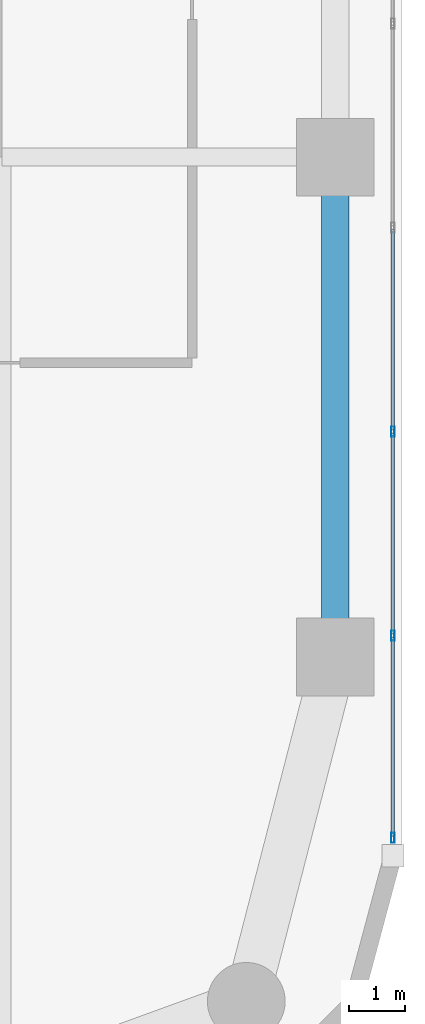
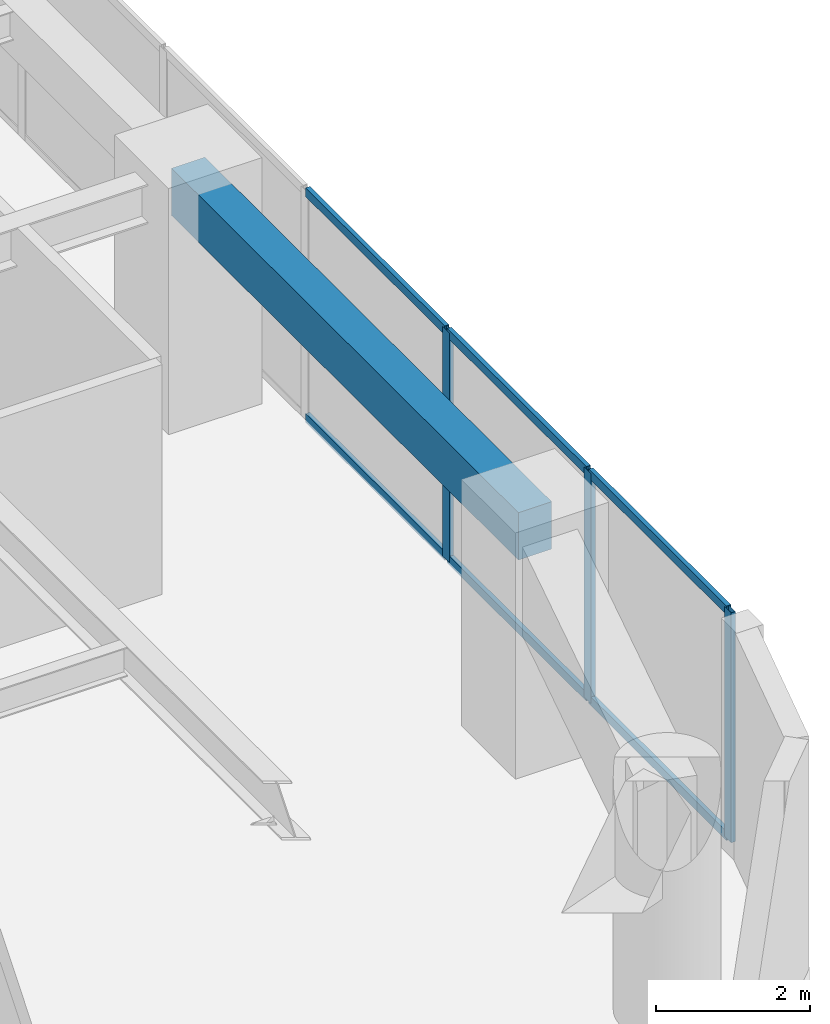
# One storey, part 4 of 24: 9 members, 1 beam, 1 element without a shape of its own.
"""IFC4 building model written with IfcOpenShell, lengths in metres."""

from ifc_helpers import new_model, si_unit, direction, frame, origin, origin_2d, place, context, subcontext, project, spatial, rectangle, hollow_rectangle, extrude, material, layer, layer_set, material_profile, profile_set, type_object, element, aggregate, save


model = new_model("IFC4")

# Units and contexts
model_context = context("Model", 3, precision=1e-05, world=origin(), true_north=direction((0.0, 1.0)))
body_context = subcontext(model_context, "Body", "Model", "MODEL_VIEW")
ifc_project = project(units=[si_unit("LENGTHUNIT", "METRE"), si_unit("AREAUNIT", "SQUARE_METRE"), si_unit("VOLUMEUNIT", "CUBIC_METRE"), si_unit("PLANEANGLEUNIT", "RADIAN"), si_unit("MASSUNIT", "GRAM", prefix="KILO")], contexts=[model_context])

# Site, building, storey
site_placement = place(None, origin())
site = spatial("IfcSite", under=ifc_project, at=site_placement, CompositionType="ELEMENT")
building_placement = place(site_placement, origin())
building = spatial("IfcBuilding", under=site, at=building_placement, Name="Kiyonajd Concourse Tower", CompositionType="ELEMENT")
storey_placement = place(building_placement, frame((0.0, 0.0, 105.300048828125)))
storey = spatial("IfcBuildingStorey", under=building, at=storey_placement, Name="L27", CompositionType="ELEMENT", Elevation=105.300048828125)

# Beam
ifc_material_1 = material(Name="Precast concrete C50/60", Category="concrete")
ifc_material_profile_1 = material_profile(ifc_material_1, rectangle(XDim=0.5, YDim=0.75, at=origin_2d()), Name="RCBM-500x750")
ifc_profile_set_1 = profile_set([ifc_material_profile_1], Name="Precast concrete C50/60")
beam_type = type_object("IfcBeamType", Name="BM-SPAN-RC", PredefinedType="SPANDREL", material=ifc_profile_set_1)
beam_placement = place(storey_placement, frame((69.60009765625, 18.60009765625, 3.264892578125), z_axis=(0.0, 1.0, 0.0), x_axis=(-1.0, 0.0, 0.0)))
element("IfcBeam", 1, at=beam_placement, inside=storey, type_object=beam_type, Name="L27 Perimeter Bundled Tube Spandrel", PredefinedType="SPANDREL", context=body_context, shape_type="SweptSolid", body=[
    extrude(rectangle(XDim=0.5, YDim=0.75, at=origin_2d()), origin(), (0.0, 0.0, 1.0), 9.0),
])

# Curtain wall, members
ifc_material_2 = material(Name="Thermally Broken Anodised Aluminium", Category="aluminium")
ifc_layer = layer(ifc_material_2, 0.179931640625)
ifc_layer_set = layer_set([ifc_layer], Name="Thermally Broken Anodised Aluminium")
curtain_wall_type = type_object("IfcCurtainWallType", Name="CW-SYS-03", PredefinedType="NOTDEFINED", material=ifc_layer_set)
curtain_wall_placement = place(storey_placement, origin())
curtain_wall = element("IfcCurtainWall", 2, at=curtain_wall_placement, inside=storey, type_object=curtain_wall_type, Name="L27 Unitised Curtain Wall CW3", PredefinedType="NOTDEFINED")
ifc_material_profile_2 = material_profile(ifc_material_2, hollow_rectangle(XDim=0.06494140625, YDim=0.179931640625, WallThickness=0.00390625, at=origin_2d()), Name="MULL-65x180")
ifc_profile_set_2 = profile_set([ifc_material_profile_2], Name="Thermally Broken Anodised Aluminium")
member_type_1 = type_object("IfcMemberType", Name="MB-CW-MULL1", PredefinedType="MULLION", material=ifc_profile_set_2)
member_1_placement = place(storey_placement, frame((70.639892578125, 22.657470703125, 0.0), z_axis=(0.0, 0.0, 1.0), x_axis=(1.0, 0.0, 0.0)))
member_1 = element("IfcMember", 3, at=member_1_placement, type_object=member_type_1, Name="CW3 mullion 5", PredefinedType="MULLION", context=body_context, shape_type="SweptSolid", body=[
    extrude(hollow_rectangle(XDim=0.06494140625, YDim=0.179931640625, WallThickness=0.00390625, at=origin_2d()), origin(), (0.0, 0.0, 1.0), 3.639892578125),
])
member_2_placement = place(storey_placement, frame((70.639892578125, 18.984130859375, 0.0), z_axis=(0.0, 0.0, 1.0), x_axis=(1.0, 0.0, 0.0)))
member_2 = element("IfcMember", 4, at=member_2_placement, type_object=member_type_1, Name="CW3 mullion 6", PredefinedType="MULLION", context=body_context, shape_type="SweptSolid", body=[
    extrude(hollow_rectangle(XDim=0.06494140625, YDim=0.179931640625, WallThickness=0.00390625, at=origin_2d()), origin(), (0.0, 0.0, 1.0), 3.639892578125),
])
member_3_placement = place(storey_placement, frame((70.639892578125, 15.343505859375, 0.0), z_axis=(0.0, 0.0, 1.0), x_axis=(1.0, 0.0, 0.0)))
member_3 = element("IfcMember", 5, at=member_3_placement, type_object=member_type_1, Name="CW3 mullion 7", PredefinedType="MULLION", context=body_context, shape_type="SweptSolid", body=[
    extrude(hollow_rectangle(XDim=0.06494140625, YDim=0.179931640625, WallThickness=0.00390625, at=origin_2d()), origin(), (0.0, 0.0, 1.0), 3.639892578125),
])
ifc_material_profile_3 = material_profile(ifc_material_2, hollow_rectangle(XDim=0.06494140625, YDim=0.139892578125, WallThickness=0.00390625, at=origin_2d()), Name="TRAN-65x140")
ifc_profile_set_3 = profile_set([ifc_material_profile_3], Name="Thermally Broken Anodised Aluminium")
member_type_2 = type_object("IfcMemberType", Name="MB-CW-TRAN1", PredefinedType="USERDEFINED", material=ifc_profile_set_3)
member_4_placement = place(storey_placement, frame((70.639892578125, 26.298095703125, 0.032470703125), z_axis=(0.0, -1.0, 0.0), x_axis=(1.0, 0.0, 0.0)))
member_4 = element("IfcMember", 6, at=member_4_placement, type_object=member_type_2, Name="CW3 transom 4.1", ObjectType="TRANSOM", PredefinedType="USERDEFINED", context=body_context, shape_type="SweptSolid", body=[
    extrude(hollow_rectangle(XDim=0.06494140625, YDim=0.139892578125, WallThickness=0.00390625, at=origin_2d()), origin(), (0.0, 0.0, 1.0), 3.608154296875),
])
member_5_placement = place(storey_placement, frame((70.639892578125, 26.298095703125, 3.607421875), z_axis=(0.0, -1.0, 0.0), x_axis=(1.0, 0.0, 0.0)))
member_5 = element("IfcMember", 7, at=member_5_placement, type_object=member_type_2, Name="CW3 transom 4.2", ObjectType="TRANSOM", PredefinedType="USERDEFINED", context=body_context, shape_type="SweptSolid", body=[
    extrude(hollow_rectangle(XDim=0.06494140625, YDim=0.139892578125, WallThickness=0.00390625, at=origin_2d()), origin(), (0.0, 0.0, 1.0), 3.608154296875),
])
member_6_placement = place(storey_placement, frame((70.639892578125, 22.625, 0.032470703125), z_axis=(0.0, -1.0, 0.0), x_axis=(1.0, 0.0, 0.0)))
member_6 = element("IfcMember", 8, at=member_6_placement, type_object=member_type_2, Name="CW3 transom 5.1", ObjectType="TRANSOM", PredefinedType="USERDEFINED", context=body_context, shape_type="SweptSolid", body=[
    extrude(hollow_rectangle(XDim=0.06494140625, YDim=0.139892578125, WallThickness=0.00390625, at=origin_2d()), origin(), (0.0, 0.0, 1.0), 3.608154296875),
])
member_7_placement = place(storey_placement, frame((70.639892578125, 22.625, 3.607421875), z_axis=(0.0, -1.0, 0.0), x_axis=(1.0, 0.0, 0.0)))
member_7 = element("IfcMember", 9, at=member_7_placement, type_object=member_type_2, Name="CW3 transom 5.2", ObjectType="TRANSOM", PredefinedType="USERDEFINED", context=body_context, shape_type="SweptSolid", body=[
    extrude(hollow_rectangle(XDim=0.06494140625, YDim=0.139892578125, WallThickness=0.00390625, at=origin_2d()), origin(), (0.0, 0.0, 1.0), 3.608154296875),
])
member_8_placement = place(storey_placement, frame((70.639892578125, 18.95166015625, 0.032470703125), z_axis=(0.0, -1.0, 0.0), x_axis=(1.0, 0.0, 0.0)))
member_8 = element("IfcMember", 10, at=member_8_placement, type_object=member_type_2, Name="CW3 transom 6.1", ObjectType="TRANSOM", PredefinedType="USERDEFINED", context=body_context, shape_type="SweptSolid", body=[
    extrude(hollow_rectangle(XDim=0.06494140625, YDim=0.139892578125, WallThickness=0.00390625, at=origin_2d()), origin(), (0.0, 0.0, 1.0), 3.575439453125),
])
member_9_placement = place(storey_placement, frame((70.639892578125, 18.95166015625, 3.607421875), z_axis=(0.0, -1.0, 0.0), x_axis=(1.0, 0.0, 0.0)))
member_9 = element("IfcMember", 11, at=member_9_placement, type_object=member_type_2, Name="CW3 transom 6.2", ObjectType="TRANSOM", PredefinedType="USERDEFINED", context=body_context, shape_type="SweptSolid", body=[
    extrude(hollow_rectangle(XDim=0.06494140625, YDim=0.139892578125, WallThickness=0.00390625, at=origin_2d()), origin(), (0.0, 0.0, 1.0), 3.575439453125),
])
aggregate(curtain_wall, [member_1, member_2, member_3, member_4, member_5, member_6, member_7, member_8, member_9])

save(model, "model.ifc")
